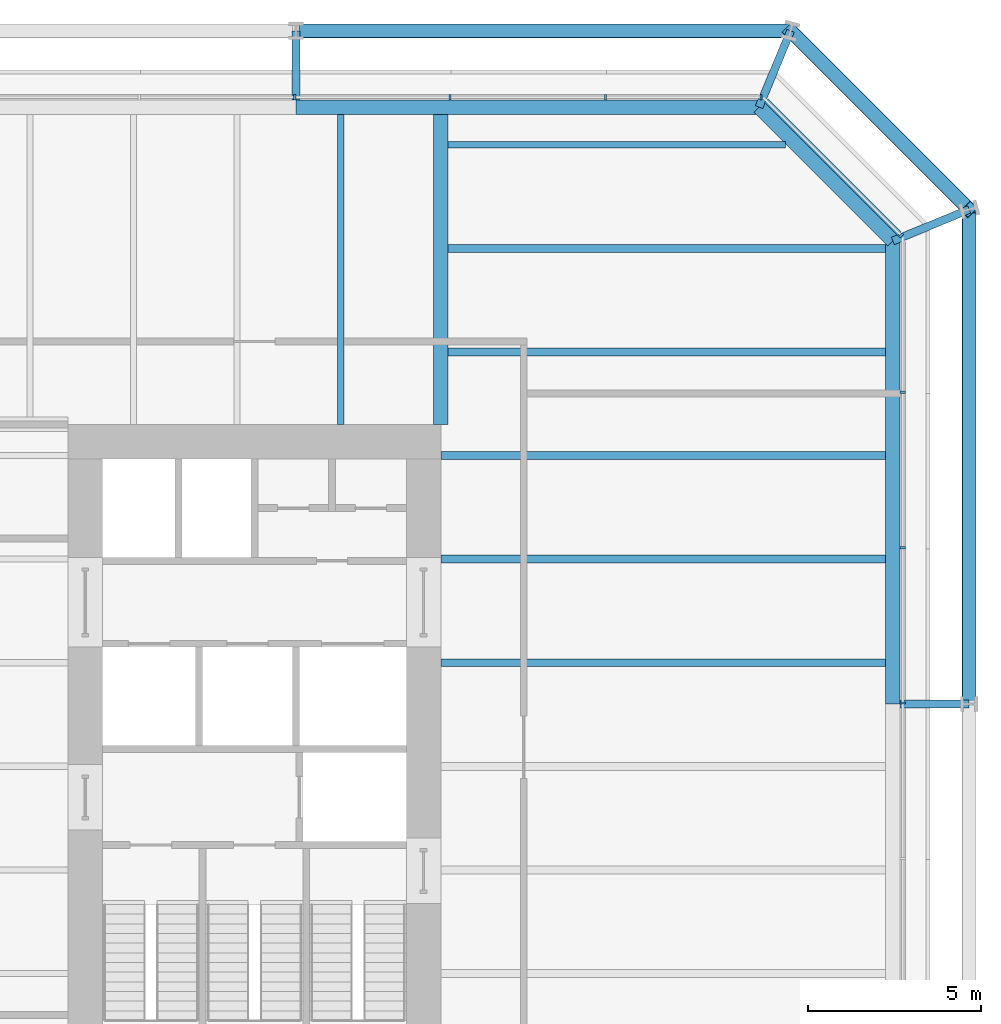
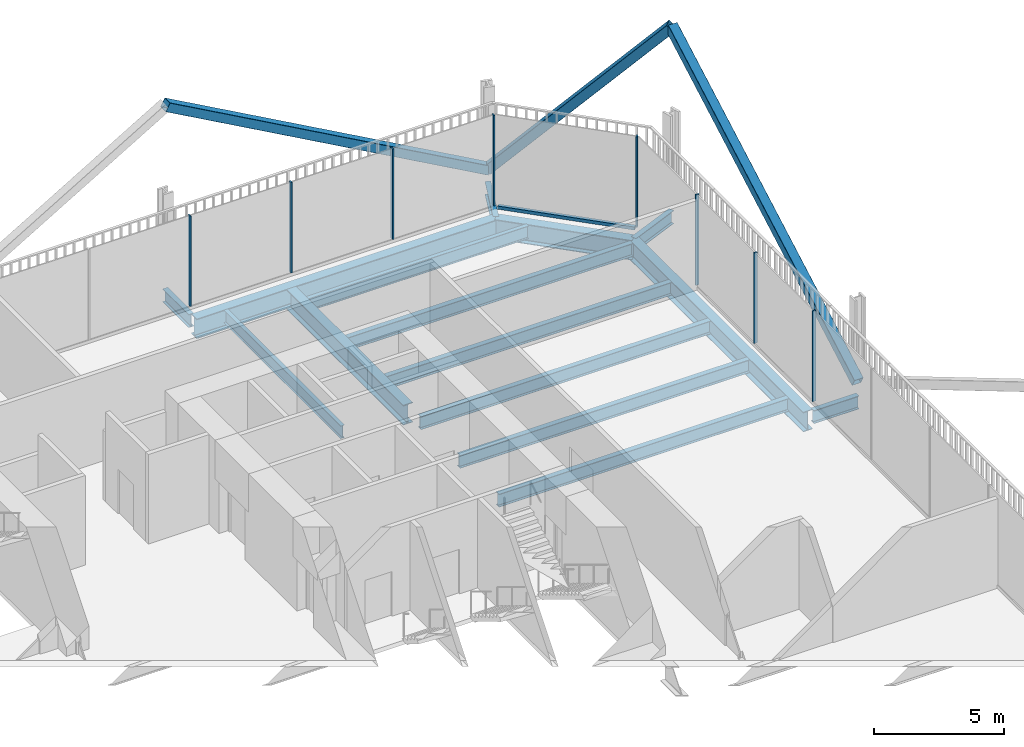
# One storey, part 15 of 21: 15 beams, 12 members, 3 elements without a shape of their own.
"""IFC4 building model written with IfcOpenShell, lengths in metres."""

from ifc_helpers import new_model, si_unit, direction, frame, origin, origin_2d, place, context, subcontext, project, spatial, rectangle, hollow_rectangle, i_section, extrude, material, layer, layer_set, material_profile, profile_set, type_object, element, aggregate, save


model = new_model("IFC4")

# Units and contexts
model_context = context("Model", 3, precision=1e-05, world=origin(), true_north=direction((0.0, 1.0)))
body_context = subcontext(model_context, "Body", "Model", "MODEL_VIEW")
ifc_project = project(units=[si_unit("LENGTHUNIT", "METRE"), si_unit("AREAUNIT", "SQUARE_METRE"), si_unit("VOLUMEUNIT", "CUBIC_METRE"), si_unit("PLANEANGLEUNIT", "RADIAN"), si_unit("MASSUNIT", "GRAM", prefix="KILO")], contexts=[model_context])

# Site, building, storey
site_placement = place(None, origin())
site = spatial("IfcSite", under=ifc_project, at=site_placement, CompositionType="ELEMENT")
building_placement = place(site_placement, origin())
building = spatial("IfcBuilding", under=site, at=building_placement, Name="Millrace Tower", CompositionType="ELEMENT")
storey_placement = place(building_placement, frame((0.0, 0.0, 104.0)))
storey = spatial("IfcBuildingStorey", under=building, at=storey_placement, Name="L23", CompositionType="ELEMENT", Elevation=104.0)

# Curtain wall, members
ifc_material_1 = material(Name="Aluminium and glass", Category="aluminium")
ifc_layer = layer(ifc_material_1, 0.14990234375)
ifc_layer_set = layer_set([ifc_layer], Name="Aluminium and glass")
curtain_wall_type = type_object("IfcCurtainWallType", Name="CW-3 telecom floor curtain wall", PredefinedType="NOTDEFINED", material=ifc_layer_set)
placement = place(storey_placement, origin())
curtain_wall_1 = element("IfcCurtainWall", 1, at=placement, inside=storey, type_object=curtain_wall_type, Name="Curtain wall B-F04 L23", PredefinedType="NOTDEFINED")
ifc_material_2 = material(Name="Aluminium", Category="aluminium")
ifc_material_profile_1 = material_profile(ifc_material_2, rectangle(XDim=0.06494140625, YDim=0.14990234375, at=origin_2d()))
ifc_profile_set_1 = profile_set([ifc_material_profile_1], Name="Aluminium")
member_type_1 = type_object("IfcMemberType", Name="CW-3 telecom floor curtain wall mullion", PredefinedType="MULLION", material=ifc_profile_set_1)
member_1_placement = place(storey_placement, frame((28.27490234375, 1.83251953125, 0.14990234375), z_axis=(0.0, 0.0, 1.0), x_axis=(0.0, 1.0, 0.0)))
member_1 = element("IfcMember", 2, at=member_1_placement, type_object=member_type_1, Name="CW3 mullion B-F04.7", PredefinedType="MULLION", context=body_context, shape_type="SweptSolid", body=[
    extrude(rectangle(XDim=0.06494140625, YDim=0.14990234375, at=origin_2d()), origin(), (0.0, 0.0, 1.0), 4.25),
])
member_2_placement = place(storey_placement, frame((28.27490234375, 6.33251953125, 0.14990234375), z_axis=(0.0, 0.0, 1.0), x_axis=(0.0, 1.0, 0.0)))
member_2 = element("IfcMember", 3, at=member_2_placement, type_object=member_type_1, Name="CW3 mullion B-F04.8", PredefinedType="MULLION", context=body_context, shape_type="SweptSolid", body=[
    extrude(rectangle(XDim=0.06494140625, YDim=0.14990234375, at=origin_2d()), origin(), (0.0, 0.0, 1.0), 4.25),
])
member_3_placement = place(storey_placement, frame((28.27490234375, 10.83251953125, 0.14990234375), z_axis=(0.0, 0.0, 1.0), x_axis=(0.0, 1.0, 0.0)))
member_3 = element("IfcMember", 4, at=member_3_placement, type_object=member_type_1, Name="CW3 mullion B-F04.9", PredefinedType="MULLION", context=body_context, shape_type="SweptSolid", body=[
    extrude(rectangle(XDim=0.06494140625, YDim=0.14990234375, at=origin_2d()), origin(), (0.0, 0.0, 1.0), 4.25),
])
aggregate(curtain_wall_1, [member_1, member_2, member_3])

# Curtain wall, member
curtain_wall_2 = element("IfcCurtainWall", 5, at=placement, inside=storey, type_object=curtain_wall_type, Name="Curtain wall B-F05 L23", PredefinedType="NOTDEFINED")
member_4_placement = place(storey_placement, frame((28.22998046875, 15.3759765625, 0.14990234375), z_axis=(0.0, 0.0, 1.0), x_axis=(-0.707106781187, 0.707106781187, 0.0)))
member_4 = element("IfcMember", 6, at=member_4_placement, type_object=member_type_1, Name="CW3 mullion B-F05.1", PredefinedType="MULLION", context=body_context, shape_type="SweptSolid", body=[
    extrude(rectangle(XDim=0.06494140625, YDim=0.14990234375, at=origin_2d()), origin(), (0.0, 0.0, 1.0), 4.25),
])

# Curtain wall, members
curtain_wall_3 = element("IfcCurtainWall", 7, at=placement, inside=storey, type_object=curtain_wall_type, Name="Curtain wall B-F06 L23", PredefinedType="NOTDEFINED")
member_5_placement = place(storey_placement, frame((24.16748046875, 19.375, 0.14990234375), z_axis=(0.0, 0.0, 1.0), x_axis=(-1.0, 0.0, 0.0)))
member_5 = element("IfcMember", 8, at=member_5_placement, type_object=member_type_1, Name="CW3 mullion B-F06.1", PredefinedType="MULLION", context=body_context, shape_type="SweptSolid", body=[
    extrude(rectangle(XDim=0.06494140625, YDim=0.14990234375, at=origin_2d()), origin(), (0.0, 0.0, 1.0), 4.25),
])
member_6_placement = place(storey_placement, frame((19.66748046875, 19.375, 0.14990234375), z_axis=(0.0, 0.0, 1.0), x_axis=(-1.0, 0.0, 0.0)))
member_6 = element("IfcMember", 9, at=member_6_placement, type_object=member_type_1, Name="CW3 mullion B-F06.2", PredefinedType="MULLION", context=body_context, shape_type="SweptSolid", body=[
    extrude(rectangle(XDim=0.06494140625, YDim=0.14990234375, at=origin_2d()), origin(), (0.0, 0.0, 1.0), 4.25),
])
member_7_placement = place(storey_placement, frame((15.16748046875, 19.375, 0.14990234375), z_axis=(0.0, 0.0, 1.0), x_axis=(-1.0, 0.0, 0.0)))
member_7 = element("IfcMember", 10, at=member_7_placement, type_object=member_type_1, Name="CW3 mullion B-F06.3", PredefinedType="MULLION", context=body_context, shape_type="SweptSolid", body=[
    extrude(rectangle(XDim=0.06494140625, YDim=0.14990234375, at=origin_2d()), origin(), (0.0, 0.0, 1.0), 4.25),
])
member_8_placement = place(storey_placement, frame((10.66748046875, 19.375, 0.14990234375), z_axis=(0.0, 0.0, 1.0), x_axis=(-1.0, 0.0, 0.0)))
member_8 = element("IfcMember", 11, at=member_8_placement, type_object=member_type_1, Name="CW3 mullion B-F06.4", PredefinedType="MULLION", context=body_context, shape_type="SweptSolid", body=[
    extrude(rectangle(XDim=0.06494140625, YDim=0.14990234375, at=origin_2d()), origin(), (0.0, 0.0, 1.0), 4.25),
])
aggregate(curtain_wall_3, [member_5, member_6, member_7, member_8])

# Member
ifc_material_3 = material(Name="Aluminium", Category="aluminium")
ifc_material_profile_2 = material_profile(ifc_material_3, rectangle(XDim=0.14990234375, YDim=0.14990234375, at=origin_2d()))
ifc_profile_set_2 = profile_set([ifc_material_profile_2], Name="Aluminium")
member_type_2 = type_object("IfcMemberType", Name="CW-3 telecom floor curtain wall transom", PredefinedType="USERDEFINED", material=ifc_profile_set_2)
member_9_placement = place(storey_placement, frame((28.182373046875, 15.423828125, 0.074951171875), z_axis=(-0.707129151258, 0.707084410407, 0.0), x_axis=(-0.707084410407, -0.707129151258, 0.0)))
member_9 = element("IfcMember", 12, at=member_9_placement, type_object=member_type_2, Name="CW3 transom B-F05.1", ObjectType="TRANSOM", PredefinedType="USERDEFINED", context=body_context, shape_type="SweptSolid", body=[
    extrude(rectangle(XDim=0.14990234375, YDim=0.14990234375, at=origin_2d()), origin(), (0.0, 0.0, 1.0), 5.456787109375),
])

aggregate(curtain_wall_2, [member_4, member_9])

# Members
ifc_material_4 = material(Name="Steel ASTM A500 Grade C", Category="steel")
ifc_material_profile_3 = material_profile(ifc_material_4, hollow_rectangle(XDim=0.406494140625, YDim=0.406494140625, WallThickness=0.0126953125, InnerFilletRadius=0.00634765625, OuterFilletRadius=0.01904296875, at=origin_2d()))
ifc_profile_set_3 = profile_set([ifc_material_profile_3], Name="Steel ASTM A500 Grade C")
member_type_3 = type_object("IfcMemberType", Name="Exoskeleton brace HSS16x16x1/2", PredefinedType="BRACE", material=ifc_profile_set_3)
member_10_placement = place(storey_placement, frame((30.199951171875, 1.800048828125, 0.39990234375), z_axis=(0.0, 0.873125840427, 0.487494888976), x_axis=(-1.0, 0.0, 0.0)))
element("IfcMember", 13, at=member_10_placement, inside=storey, type_object=member_type_3, Name="BRC-B-L23-08", PredefinedType="BRACE", context=body_context, shape_type="SweptSolid", body=[
    extrude(hollow_rectangle(XDim=0.406494140625, YDim=0.406494140625, WallThickness=0.0126953125, InnerFilletRadius=0.00634765625, OuterFilletRadius=0.01904296875, at=origin_2d()), origin(), (0.0, 0.0, 1.0), 16.410400390625),
])
member_11_placement = place(storey_placement, frame((25.0283203125, 21.300048828125, 0.39990234375), z_axis=(0.477116280189, -0.477116280189, 0.738051563482), x_axis=(0.707106781187, 0.707106781187, 0.0)))
element("IfcMember", 14, at=member_11_placement, inside=storey, type_object=member_type_3, Name="BRC-B-L23-09", PredefinedType="BRACE", context=body_context, shape_type="SweptSolid", body=[
    extrude(hollow_rectangle(XDim=0.406494140625, YDim=0.406494140625, WallThickness=0.0126953125, InnerFilletRadius=0.00634765625, OuterFilletRadius=0.01904296875, at=origin_2d()), origin(), (0.0, 0.0, 1.0), 10.83935546875),
])
member_12_placement = place(storey_placement, frame((25.0283203125, 21.300048828125, 0.39990234375), z_axis=(-0.873125840427, 0.0, 0.487494888976), x_axis=(0.0, -1.0, 0.0)))
element("IfcMember", 15, at=member_12_placement, inside=storey, type_object=member_type_3, Name="BRC-B-L23-10", PredefinedType="BRACE", context=body_context, shape_type="SweptSolid", body=[
    extrude(hollow_rectangle(XDim=0.406494140625, YDim=0.406494140625, WallThickness=0.0126953125, InnerFilletRadius=0.00634765625, OuterFilletRadius=0.01904296875, at=origin_2d()), origin(), (0.0, 0.0, 1.0), 16.410400390625),
])

# Beams
ifc_material_5 = material(Name="Steel ASTM A992 Grade 50", Category="steel")
ifc_material_profile_4 = material_profile(ifc_material_5, i_section(OverallWidth=0.177978515625, OverallDepth=0.599365234375, WebThickness=0.010009765625, FlangeThickness=0.012939453125, FilletRadius=0.012939453125, at=origin_2d()))
ifc_profile_set_4 = profile_set([ifc_material_profile_4], Name="Steel ASTM A992 Grade 50")
beam_type_1 = type_object("IfcBeamType", Name="Floor beam W24x55", PredefinedType="JOIST", material=ifc_profile_set_4)
beam_1_placement = place(storey_placement, frame((12.0, 9.89990234375, -0.499755859375), z_axis=(0.0, 1.0, 0.0), x_axis=(-1.0, 0.0, 0.0)))
element("IfcBeam", 16, at=beam_1_placement, inside=storey, type_object=beam_type_1, Name="BM-B-L23-S1-S056", PredefinedType="JOIST", context=body_context, shape_type="SweptSolid", body=[
    extrude(i_section(OverallWidth=0.177978515625, OverallDepth=0.599365234375, WebThickness=0.010009765625, FlangeThickness=0.012939453125, FilletRadius=0.012939453125, at=origin_2d()), origin(), (0.0, 0.0, 1.0), 8.98095703125),
])
beam_2_placement = place(storey_placement, frame((15.11083984375, 18.0, -0.499755859375), z_axis=(1.0, 0.0, 0.0), x_axis=(0.0, 1.0, 0.0)))
element("IfcBeam", 17, at=beam_2_placement, inside=storey, type_object=beam_type_1, Name="BM-B-L23-S1-S039", PredefinedType="JOIST", context=body_context, shape_type="SweptSolid", body=[
    extrude(i_section(OverallWidth=0.177978515625, OverallDepth=0.599365234375, WebThickness=0.010009765625, FlangeThickness=0.012939453125, FilletRadius=0.012939453125, at=origin_2d()), origin(), (0.0, 0.0, 1.0), 9.7724609375),
])
ifc_material_6 = material(Name="Steel ASTM A992 Grade 50", Category="steel")
ifc_material_profile_5 = material_profile(ifc_material_6, i_section(OverallWidth=0.228271484375, OverallDepth=0.607177734375, WebThickness=0.01123046875, FlangeThickness=0.017333984375, FilletRadius=0.0126953125, at=origin_2d()))
ifc_profile_set_5 = profile_set([ifc_material_profile_5], Name="Steel ASTM A992 Grade 50")
beam_type_2 = type_object("IfcBeamType", Name="Floor beam W24x76", PredefinedType="JOIST", material=ifc_profile_set_5)
for number, where, z_axis, x_axis, name in (
    (18, (14.89990234375, 3.0, -0.50341796875), (1.0, 0.0, 0.0), (0.0, 1.0, 0.0), "BM-B-L23-S1-S027"),
    (19, (14.89990234375, 6.0, -0.50341796875), (1.0, 0.0, 0.0), (0.0, 1.0, 0.0), "BM-B-L23-S1-S030"),
    (20, (14.89990234375, 9.0, -0.50341796875), (1.0, 0.0, 0.0), (0.0, 1.0, 0.0), "BM-B-L23-S1-S033"),
):
    element("IfcBeam", number, at=place(storey_placement, frame(where, z_axis=z_axis, x_axis=x_axis)), inside=storey, type_object=beam_type_2, Name=name, PredefinedType="JOIST", context=body_context, shape_type="SweptSolid", body=[
        extrude(i_section(OverallWidth=0.228271484375, OverallDepth=0.607177734375, WebThickness=0.01123046875, FlangeThickness=0.017333984375, FilletRadius=0.0126953125, at=origin_2d()), origin(), (0.0, 0.0, 1.0), 12.881103515625),
    ])
for number, where, z_axis, x_axis, name in (
    (21, (15.11083984375, 12.0, -0.50341796875), (1.0, 0.0, 0.0), (0.0, 1.0, 0.0), "BM-B-L23-S1-S035"),
    (22, (15.11083984375, 15.0, -0.50341796875), (1.0, 0.0, 0.0), (0.0, 1.0, 0.0), "BM-B-L23-S1-S037"),
):
    element("IfcBeam", number, at=place(storey_placement, frame(where, z_axis=z_axis, x_axis=x_axis)), inside=storey, type_object=beam_type_2, Name=name, PredefinedType="JOIST", context=body_context, shape_type="SweptSolid", body=[
        extrude(i_section(OverallWidth=0.228271484375, OverallDepth=0.607177734375, WebThickness=0.01123046875, FlangeThickness=0.017333984375, FilletRadius=0.0126953125, at=origin_2d()), origin(), (0.0, 0.0, 1.0), 12.670166015625),
    ])
ifc_material_7 = material(Name="Steel ASTM A992 Grade 50", Category="steel")
ifc_material_profile_6 = material_profile(ifc_material_7, i_section(OverallWidth=0.421630859375, OverallDepth=0.937255859375, WebThickness=0.021240234375, FlangeThickness=0.03662109375, FilletRadius=0.024169921875, at=origin_2d()))
ifc_profile_set_6 = profile_set([ifc_material_profile_6], Name="Steel ASTM A992 Grade 50")
beam_type_3 = type_object("IfcBeamType", Name="Girder short span W36x262", PredefinedType="BEAM", material=ifc_profile_set_6)
beam_3_placement = place(storey_placement, frame((14.89990234375, 9.89990234375, -0.668701171875), z_axis=(0.0, 1.0, 0.0), x_axis=(-1.0, 0.0, 0.0)))
element("IfcBeam", 23, at=beam_3_placement, inside=storey, type_object=beam_type_3, Name="BM-B-L23-S1-G060", PredefinedType="BEAM", context=body_context, shape_type="SweptSolid", body=[
    extrude(i_section(OverallWidth=0.421630859375, OverallDepth=0.937255859375, WebThickness=0.021240234375, FlangeThickness=0.03662109375, FilletRadius=0.024169921875, at=origin_2d()), origin(), (0.0, 0.0, 1.0), 8.98095703125),
])
ifc_material_8 = material(Name="Steel ASTM A992 Grade 50", Category="steel")
ifc_material_profile_7 = material_profile(ifc_material_8, i_section(OverallWidth=0.23046875, OverallDepth=0.6171875, WebThickness=0.01318359375, FlangeThickness=0.022216796875, FilletRadius=0.012939453125, at=origin_2d()))
ifc_profile_set_7 = profile_set([ifc_material_profile_7], Name="Steel ASTM A992 Grade 50")
beam_type_4 = type_object("IfcBeamType", Name="Link beam W24x94", PredefinedType="BEAM", material=ifc_profile_set_7)
beam_4_placement = place(storey_placement, frame((10.699951171875, 19.300048828125, -0.508544921875), z_axis=(0.0, 1.0, 0.0), x_axis=(-1.0, 0.0, 0.0)))
element("IfcBeam", 24, at=beam_4_placement, inside=storey, type_object=beam_type_4, Name="LNK-B-L23-S1-07", PredefinedType="BEAM", context=body_context, shape_type="SweptSolid", body=[
    extrude(i_section(OverallWidth=0.23046875, OverallDepth=0.6171875, WebThickness=0.01318359375, FlangeThickness=0.022216796875, FilletRadius=0.012939453125, at=origin_2d()), origin(), (0.0, 0.0, 1.0), 2.0),
])
for number, where, z_axis, x_axis, name in (
    (25, (24.11328125, 19.09033203125, -0.508544921875), (0.382592209583, 0.923917312949, 0.0), (-0.923917312949, 0.382592209583, 0.0), "LNK-B-L23-S1-08"),
    (26, (27.990478515625, 15.213134765625, -0.508544921875), (0.92386627665, 0.382715433277, 0.0), (-0.382715433277, 0.92386627665, 0.0), "LNK-B-L23-S1-09"),
):
    element("IfcBeam", number, at=place(storey_placement, frame(where, z_axis=z_axis, x_axis=x_axis)), inside=storey, type_object=beam_type_4, Name=name, PredefinedType="BEAM", context=body_context, shape_type="SweptSolid", body=[
        extrude(i_section(OverallWidth=0.23046875, OverallDepth=0.6171875, WebThickness=0.01318359375, FlangeThickness=0.022216796875, FilletRadius=0.012939453125, at=origin_2d()), origin(), (0.0, 0.0, 1.0), 2.3916015625),
    ])
beam_5_placement = place(storey_placement, frame((28.199951171875, 1.800048828125, -0.508544921875), z_axis=(1.0, 0.0, 0.0), x_axis=(0.0, 1.0, 0.0)))
element("IfcBeam", 27, at=beam_5_placement, inside=storey, type_object=beam_type_4, Name="LNK-B-L23-S1-10", PredefinedType="BEAM", context=body_context, shape_type="SweptSolid", body=[
    extrude(i_section(OverallWidth=0.23046875, OverallDepth=0.6171875, WebThickness=0.01318359375, FlangeThickness=0.022216796875, FilletRadius=0.012939453125, at=origin_2d()), origin(), (0.0, 0.0, 1.0), 2.0),
])
ifc_material_9 = material(Name="Steel ASTM A992 Grade 50", Category="steel")
ifc_material_profile_8 = material_profile(ifc_material_9, i_section(OverallWidth=0.419189453125, OverallDepth=0.927001953125, WebThickness=0.019287109375, FlangeThickness=0.031982421875, FilletRadius=0.024169921875, at=origin_2d()))
ifc_profile_set_8 = profile_set([ifc_material_profile_8], Name="Steel ASTM A992 Grade 50")
beam_type_5 = type_object("IfcBeamType", Name="Ring beam medium span W36x231", PredefinedType="SPANDREL", material=ifc_profile_set_8)
beam_6_placement = place(storey_placement, frame((10.699951171875, 19.09033203125, -0.66357421875), z_axis=(1.0, 0.0, 0.0), x_axis=(0.0, 1.0, 0.0)))
element("IfcBeam", 28, at=beam_6_placement, inside=storey, type_object=beam_type_5, Name="RNG-B-L23-S1-07", PredefinedType="SPANDREL", context=body_context, shape_type="SweptSolid", body=[
    extrude(i_section(OverallWidth=0.419189453125, OverallDepth=0.927001953125, WebThickness=0.019287109375, FlangeThickness=0.031982421875, FilletRadius=0.024169921875, at=origin_2d()), origin(), (0.0, 0.0, 1.0), 13.413330078125),
])
beam_7_placement = place(storey_placement, frame((27.990478515625, 15.213134765625, -0.66357421875), z_axis=(0.0, -1.0, 0.0), x_axis=(1.0, 0.0, 0.0)))
element("IfcBeam", 29, at=beam_7_placement, inside=storey, type_object=beam_type_5, Name="RNG-B-L23-S1-09", PredefinedType="SPANDREL", context=body_context, shape_type="SweptSolid", body=[
    extrude(i_section(OverallWidth=0.419189453125, OverallDepth=0.927001953125, WebThickness=0.019287109375, FlangeThickness=0.031982421875, FilletRadius=0.024169921875, at=origin_2d()), origin(), (0.0, 0.0, 1.0), 13.4130859375),
])
ifc_material_10 = material(Name="Steel ASTM A992 Grade 50", Category="steel")
ifc_material_profile_9 = material_profile(ifc_material_10, i_section(OverallWidth=0.419189453125, OverallDepth=0.927001953125, WebThickness=0.019287109375, FlangeThickness=0.031982421875, FilletRadius=0.024169921875, at=origin_2d()))
ifc_profile_set_9 = profile_set([ifc_material_profile_9], Name="Steel ASTM A992 Grade 50")
beam_type_6 = type_object("IfcBeamType", Name="Ring beam short span W36x231", PredefinedType="SPANDREL", material=ifc_profile_set_9)
beam_8_placement = place(storey_placement, frame((24.11328125, 19.09033203125, -0.66357421875), z_axis=(0.707106781187, -0.707106781187, 0.0), x_axis=(0.707106781187, 0.707106781187, 0.0)))
element("IfcBeam", 30, at=beam_8_placement, inside=storey, type_object=beam_type_6, Name="RNG-B-L23-S1-08", PredefinedType="SPANDREL", context=body_context, shape_type="SweptSolid", body=[
    extrude(i_section(OverallWidth=0.419189453125, OverallDepth=0.927001953125, WebThickness=0.019287109375, FlangeThickness=0.031982421875, FilletRadius=0.024169921875, at=origin_2d()), origin(), (0.0, 0.0, 1.0), 5.483154296875),
])

save(model, "model.ifc")
